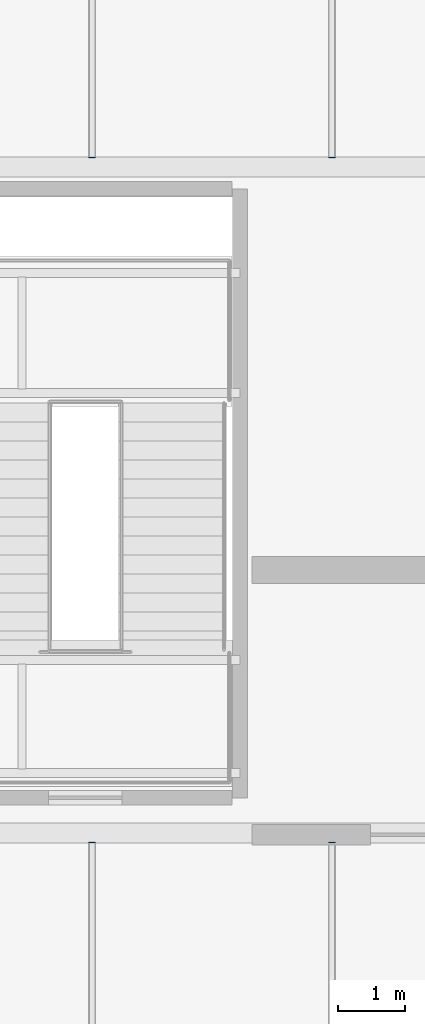
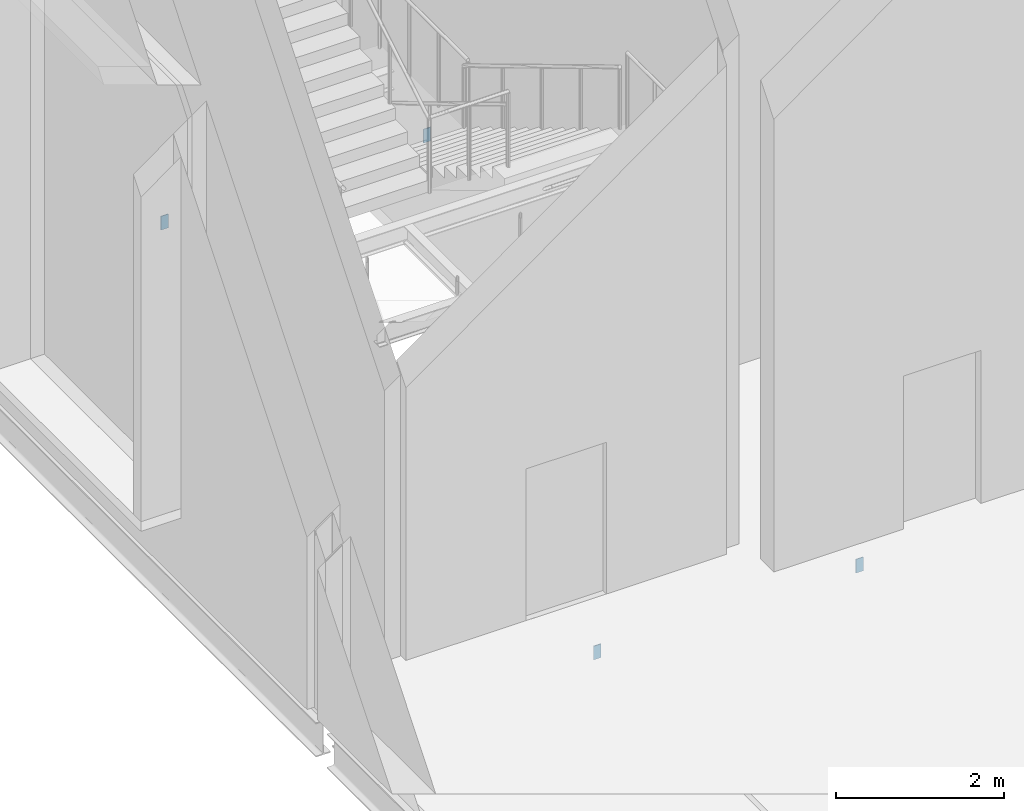
# One storey, part 80 of 100: 4 plates.
"""IFC4 building model written with IfcOpenShell, lengths in metres."""

from ifc_helpers import new_model, si_unit, direction, frame, origin, origin_2d, place, context, subcontext, project, spatial, rectangle, extrude, material, layer, layer_set, type_object, element, save


model = new_model("IFC4")

# Units and contexts
model_context = context("Model", 3, precision=1e-05, world=origin(), true_north=direction((0.0, 1.0)))
body_context = subcontext(model_context, "Body", "Model", "MODEL_VIEW")
ifc_project = project(units=[si_unit("LENGTHUNIT", "METRE"), si_unit("AREAUNIT", "SQUARE_METRE"), si_unit("VOLUMEUNIT", "CUBIC_METRE"), si_unit("PLANEANGLEUNIT", "RADIAN"), si_unit("MASSUNIT", "GRAM", prefix="KILO")], contexts=[model_context])

# Site, building, storey
site_placement = place(None, origin())
site = spatial("IfcSite", under=ifc_project, at=site_placement, CompositionType="ELEMENT")
building_placement = place(site_placement, origin())
building = spatial("IfcBuilding", under=site, at=building_placement, Name="Tasgan Crest Museum", CompositionType="ELEMENT")
storey_placement = place(building_placement, frame((0.0, 0.0, 14.39990234375)))
storey = spatial("IfcBuildingStorey", under=building, at=storey_placement, Name="L03", CompositionType="ELEMENT", Elevation=14.39990234375)

# Plates
ifc_material = material(Name="Steel S355K2", Category="steel")
ifc_layer = layer(ifc_material, 0.10009765625, Name="PL-CAP-10x100x200")
ifc_layer_set = layer_set([ifc_layer], Name="Steel S355K2")
plate_type = type_object("IfcPlateType", Name="PL-CAP-10x100x200", PredefinedType="USERDEFINED", material=ifc_layer_set)
for number, where, z_axis, x_axis, name in (
    (1, (3.60009765625, 102.139892578125, -0.43994140625), (0.0, 0.0, 1.0), (0.0, 1.0, 0.0), "End plate Secondary joist L03 X=3.6 Y=102.0-112.0 end A"),
    (2, (7.199951171875, 102.139892578125, -0.43994140625), (0.0, 0.0, 1.0), (0.0, 1.0, 0.0), "End plate Secondary joist L03 X=7.2 Y=102.0-112.0 end A"),
    (3, (3.60009765625, 91.860107421875, -0.43994140625), (0.0, 0.0, 1.0), (0.0, 1.0, 0.0), "End plate Secondary joist L03 X=3.6 Y=82.0-92.0 end B"),
    (4, (7.199951171875, 91.860107421875, -0.43994140625), (0.0, 0.0, 1.0), (0.0, 1.0, 0.0), "End plate Secondary joist L03 X=7.2 Y=82.0-92.0 end B"),
):
    element("IfcPlate", number, at=place(storey_placement, frame(where, z_axis=z_axis, x_axis=x_axis)), inside=storey, type_object=plate_type, Name=name, ObjectType="END PLATE", PredefinedType="USERDEFINED", context=body_context, shape_type="SweptSolid", body=[
        extrude(rectangle(XDim=0.010009765625, YDim=0.10009765625, at=origin_2d()), origin(), (0.0, 0.0, 1.0), 0.199951171875),
    ])

save(model, "model.ifc")
